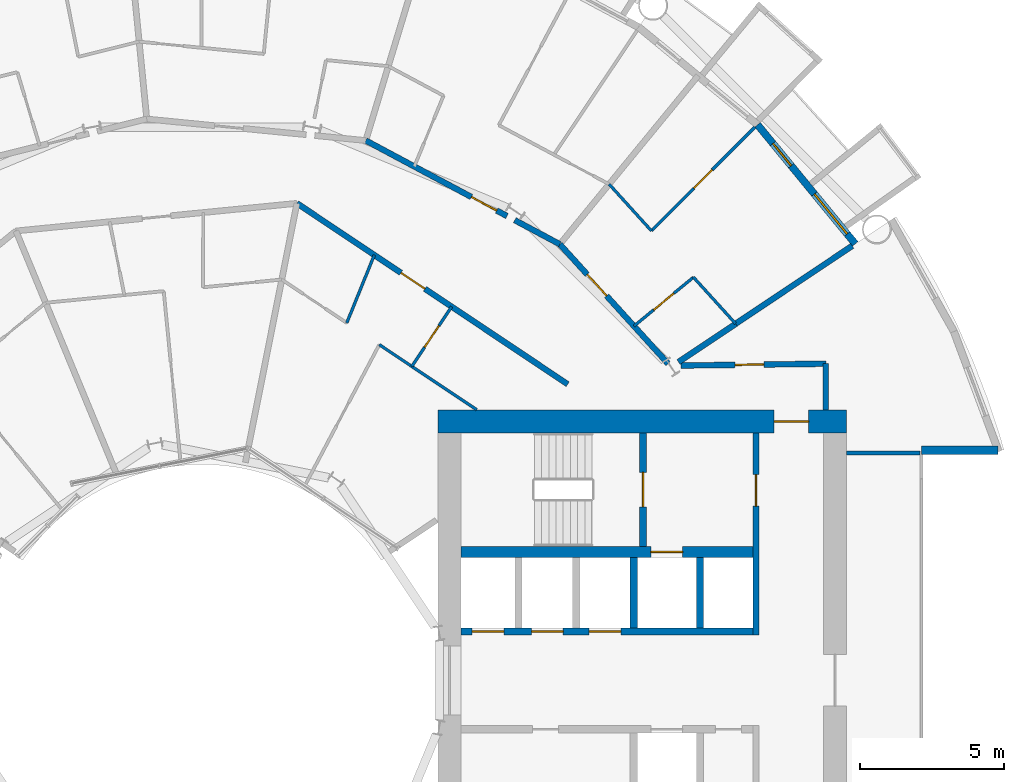
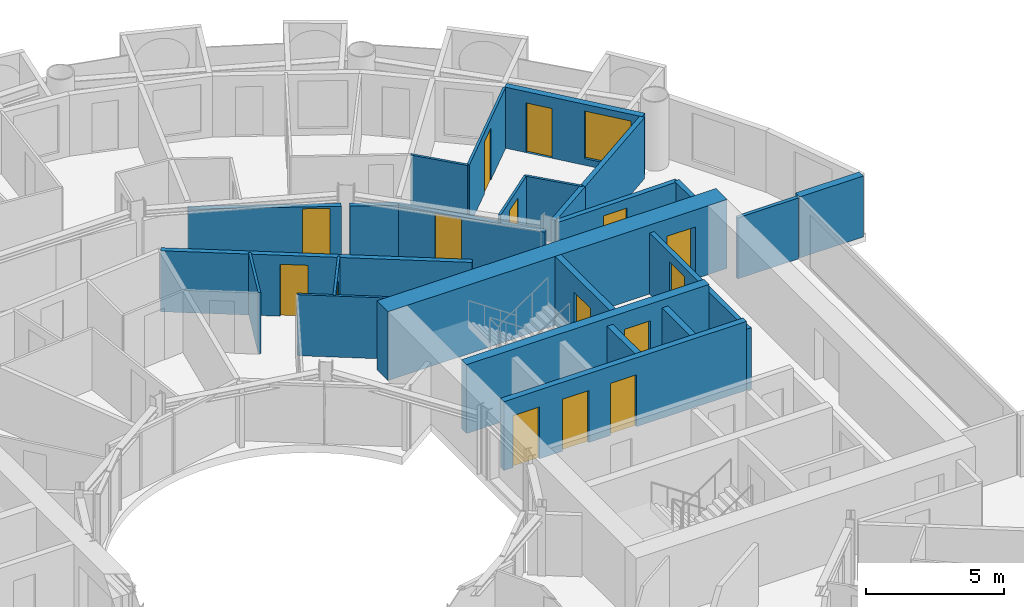
# One storey, part 21 of 26: 25 walls, 15 doors, 1 window, 16 openings.
"""IFC4 building model written with IfcOpenShell, lengths in metres."""

import ifcopenshell
import ifcopenshell.guid

model = None  # the IFC model being written
_history = None  # IfcOwnerHistory: only IFC2X3 demands one
_inside = {}  # id of a spatial element -> (the spatial element, [elements in it])
_under = {}  # id of a project, library or spatial element -> (it, [spatial elements below it])
_declared = {}  # id of a project -> (the project, [libraries it declares])
_typed = {}  # id of a type object -> (the type object, [elements of that type])
_made_of = {}  # id of a material, layer set ... -> (it, [elements and type objects made of it])


def new_model(schema):
    """Start an empty IFC model of exactly this schema.

    Asked for "IFC4X3", IfcOpenShell would pick the latest addendum, in which some entities
    have other attributes; the version numbers below select the first issue.
    IFC2X3 requires an IfcOwnerHistory on every rooted entity: one is made here for all.
    """
    global model, _history
    if schema == "IFC4X3":
        model = ifcopenshell.file(schema_version=(4, 3, 0, 0))
    else:
        model = ifcopenshell.file(schema=schema)
    _inside.clear()
    _under.clear()
    _declared.clear()
    _typed.clear()
    _made_of.clear()
    _history = None
    if model.schema == "IFC2X3":
        org = make("IfcOrganization", Name="unknown")
        user = make(
            "IfcPersonAndOrganization",
            ThePerson=make("IfcPerson", FamilyName="unknown"),
            TheOrganization=org,
        )
        app = make(
            "IfcApplication",
            ApplicationDeveloper=org,
            Version="unknown",
            ApplicationFullName="unknown",
            ApplicationIdentifier="unknown",
        )
        _history = make(
            "IfcOwnerHistory",
            OwningUser=user,
            OwningApplication=app,
            ChangeAction="ADDED",
            CreationDate=0,
        )
    return model


def make(cls, **values):
    """One entity of the class cls with the attributes given. An attribute that is None is left unset."""
    return model.create_entity(
        cls, **{name: value for name, value in values.items() if value is not None}
    )


def rooted(cls, **values):
    """An entity with a GlobalId (a new one), such as an element, a storey or a relation."""
    return make(cls, GlobalId=ifcopenshell.guid.new(), OwnerHistory=_history, **values)


def si_unit(unit_type, name, prefix=None):
    """IfcSIUnit, for example si_unit("LENGTHUNIT", "METRE", prefix="MILLI")."""
    return make("IfcSIUnit", UnitType=unit_type, Prefix=prefix, Name=name)


def assignment(units):
    """IfcUnitAssignment: the units of a project."""
    return None if units is None else make("IfcUnitAssignment", Units=units)


def point(xyz):
    """IfcCartesianPoint."""
    return None if xyz is None else make("IfcCartesianPoint", Coordinates=xyz)


def direction(xyz):
    """IfcDirection."""
    return None if xyz is None else make("IfcDirection", DirectionRatios=xyz)


def frame(location, z_axis=None, x_axis=None):
    """IfcAxis2Placement3D, a coordinate frame: its origin and axes. An axis left out is left unset."""
    return make(
        "IfcAxis2Placement3D",
        Location=point(location),
        Axis=direction(z_axis),
        RefDirection=direction(x_axis),
    )


def frame_2d(location, x_axis=None):
    """IfcAxis2Placement2D, a coordinate frame in the plane: its origin and x axis."""
    return make(
        "IfcAxis2Placement2D", Location=point(location), RefDirection=direction(x_axis)
    )


def origin():
    """The frame at (0, 0, 0) with its axes left unset."""
    return frame((0.0, 0.0, 0.0))


def place(relative_to, where):
    """IfcLocalPlacement: puts the frame where relative to a parent placement (None: the world)."""
    return make(
        "IfcLocalPlacement", PlacementRelTo=relative_to, RelativePlacement=where
    )


def context(
    kind, dimensions, precision=None, world=None, true_north=None, identifier=None
):
    """IfcGeometricRepresentationContext, for example the 3D "Model" context."""
    return make(
        "IfcGeometricRepresentationContext",
        ContextIdentifier=identifier,
        ContextType=kind,
        CoordinateSpaceDimension=dimensions,
        Precision=precision,
        WorldCoordinateSystem=world,
        TrueNorth=true_north,
    )


def subcontext(parent, identifier, kind, view, scale=None):
    """IfcGeometricRepresentationSubContext, for example "Body" below "Model"."""
    return make(
        "IfcGeometricRepresentationSubContext",
        ContextIdentifier=identifier,
        ContextType=kind,
        ParentContext=parent,
        TargetScale=scale,
        TargetView=view,
    )


def project(units=None, contexts=None):
    """IfcProject with its units and contexts."""
    return rooted(
        "IfcProject",
        Name="project",
        RepresentationContexts=contexts,
        UnitsInContext=assignment(units),
    )


def spatial(cls, under=None, at=None, **own):
    """A site, building, storey or space (cls), placed at a placement, below another one or the project."""
    s = rooted(cls, ObjectPlacement=at, **own)
    if under is not None:
        _under.setdefault(under.id(), (under, []))[1].append(s)
    return s


def profile(cls, at=None, kind="AREA", **sizes):
    """A parametric profile (cls). Its sizes go by their IFC names, for example OverallWidth=200.0."""
    return make(cls, ProfileType=kind, Position=at, **sizes)


def rectangle(**sizes):
    """IfcRectangleProfileDef."""
    return profile("IfcRectangleProfileDef", **sizes)


def extrude(swept, where, along, depth):
    """IfcExtrudedAreaSolid: the profile swept, set in the frame where, extruded along a direction by depth."""
    return make(
        "IfcExtrudedAreaSolid",
        SweptArea=swept,
        Position=where,
        ExtrudedDirection=direction(along),
        Depth=depth,
    )


def shape(context_of_items, identifier, shape_type, items):
    """IfcShapeRepresentation: the items that make up one representation, for example the "Body"."""
    return make(
        "IfcShapeRepresentation",
        ContextOfItems=context_of_items,
        RepresentationIdentifier=identifier,
        RepresentationType=shape_type,
        Items=items,
    )


def material(Name=None, Category=None):
    """IfcMaterial."""
    return make("IfcMaterial", Name=Name, Category=Category)


def layer(
    of_material, thickness, ventilated=None, Name=None, Category=None, Priority=None
):
    """IfcMaterialLayer: one layer of a wall or slab, of a material (None: an air gap)."""
    return make(
        "IfcMaterialLayer",
        Material=of_material,
        LayerThickness=thickness,
        IsVentilated=ventilated,
        Name=Name,
        Category=Category,
        Priority=Priority,
    )


def layer_set(layers, Name=None):
    """IfcMaterialLayerSet."""
    return make("IfcMaterialLayerSet", MaterialLayers=layers, LayerSetName=Name)


def made_of(thing, what):
    """Note that an element or type object is made of a material, layer set ...; save() writes the relation."""
    if what is not None:
        _made_of.setdefault(what.id(), (what, []))[1].append(thing)
    return thing


def type_object(cls, material=None, **own):
    """A type object (cls), such as IfcWallType, which elements share."""
    return made_of(rooted(cls, **own), material)


def element(
    cls,
    number,
    at=None,
    inside=None,
    cuts=None,
    type_object=None,
    material=None,
    context=None,
    identifier="Body",
    shape_type=None,
    held_by="IfcProductDefinitionShape",
    body=None,
    shapes=None,
    **own,
):
    """One element of the class cls, such as IfcWall. Its Tag is "e" and its number.

    at: its placement. inside: the storey or other place that contains it. cuts: it is an
    opening in that element (IfcRelVoidsElement). A single representation is given by context,
    identifier, shape_type and body (its items); several are given by shapes. held_by: the class
    of the entity that holds the representations. save() writes the other relations.
    """
    e = rooted(cls, Tag="e%d" % number, ObjectPlacement=at, **own)
    if body is not None:
        shapes = [shape(context, identifier, shape_type, body)]
    if shapes is not None:
        e.Representation = make(held_by, Representations=shapes)
    if inside is not None:
        _inside.setdefault(inside.id(), (inside, []))[1].append(e)
    if cuts is not None:
        rooted(
            "IfcRelVoidsElement", RelatingBuildingElement=cuts, RelatedOpeningElement=e
        )
    if type_object is not None:
        _typed.setdefault(type_object.id(), (type_object, []))[1].append(e)
    return made_of(e, material)


def fill(opening, filler):
    """IfcRelFillsElement: the door or window that sits in an opening."""
    return rooted(
        "IfcRelFillsElement",
        RelatingOpeningElement=opening,
        RelatedBuildingElement=filler,
    )


def aggregate(whole, parts):
    """IfcRelAggregates: a whole, such as a stair, and the parts it consists of."""
    return rooted("IfcRelAggregates", RelatingObject=whole, RelatedObjects=parts)


def save(model, path):
    """Write the relations noted so far, then the file.

    IfcRelAggregates (storeys below a building ...), IfcRelContainedInSpatialStructure (elements
    in a storey), IfcRelDefinesByType, IfcRelAssociatesMaterial and IfcRelDeclares: one each for
    every whole, place, type object, material and project.
    """
    for whole, parts in _under.values():
        aggregate(whole, parts)
    for where, things in _inside.values():
        rooted(
            "IfcRelContainedInSpatialStructure",
            RelatedElements=things,
            RelatingStructure=where,
        )
    for kind, things in _typed.values():
        rooted("IfcRelDefinesByType", RelatedObjects=things, RelatingType=kind)
    for what, things in _made_of.values():
        rooted("IfcRelAssociatesMaterial", RelatedObjects=things, RelatingMaterial=what)
    for by, libraries in _declared.values():
        rooted("IfcRelDeclares", RelatingContext=by, RelatedDefinitions=libraries)
    model.write(path)


model = new_model("IFC4")

# Units and contexts
model_context = context("Model", 3, precision=1e-05, world=origin(), true_north=direction((0.0, 1.0)))
body_context = subcontext(model_context, "Body", "Model", "MODEL_VIEW")
ifc_project = project(units=[si_unit("LENGTHUNIT", "METRE"), si_unit("AREAUNIT", "SQUARE_METRE"), si_unit("VOLUMEUNIT", "CUBIC_METRE"), si_unit("PLANEANGLEUNIT", "RADIAN"), si_unit("MASSUNIT", "GRAM", prefix="KILO")], contexts=[model_context])

# Site, building, storey
site_placement = place(None, origin())
site = spatial("IfcSite", under=ifc_project, at=site_placement, CompositionType="ELEMENT")
building_placement = place(site_placement, origin())
building = spatial("IfcBuilding", under=site, at=building_placement, Name="Maasbend Ring Residences", CompositionType="ELEMENT")
storey_placement = place(building_placement, frame((0.0, 0.0, 22.800048828125)))
storey = spatial("IfcBuildingStorey", under=building, at=storey_placement, Name="L05", CompositionType="ELEMENT", Elevation=22.800048828125)

# Wall, openings, doors
ifc_material_1 = material(Name="Concrete C70/85", Category="concrete")
ifc_layer_1 = layer(ifc_material_1, 0.25)
ifc_layer_set_1 = layer_set([ifc_layer_1], Name="Concrete C70/85")
wall_type_1 = type_object("IfcWallType", Name="CORE WALL 250 C70/85", PredefinedType="SHEAR", material=ifc_layer_set_1)
wall_1_placement = place(storey_placement, frame((9.0, 1.699951171875, 0.0), z_axis=(0.0, 0.0, 1.0), x_axis=(1.0, 0.0, 0.0)))
wall_1 = element("IfcWall", 1, at=wall_1_placement, inside=storey, type_object=wall_type_1, Name="L05 core E wall SPN", PredefinedType="SHEAR", context=body_context, shape_type="SweptSolid", body=[
    extrude(rectangle(XDim=10.14990234375, YDim=0.25, at=frame_2d((5.074951171875, 0.0))), origin(), (0.0, 0.0, 1.0), 3.050048828125),
])
opening_1_placement = place(wall_1_placement, frame((0.387451171875, 0.0, 0.0)))
opening_1 = element("IfcOpeningElement", 2, at=opening_1_placement, cuts=wall_1, Name="Opening LD-E0501", PredefinedType="OPENING", context=body_context, shape_type="SweptSolid", body=[
    extrude(rectangle(XDim=1.10009765625, YDim=2.300048828125, at=frame_2d((0.550048828125, 1.14990234375))), frame((0.0, 0.135009765625, 0.0), z_axis=(0.0, -1.0, 0.0), x_axis=(1.0, 0.0, 0.0)), (0.0, 0.0, 1.0), 0.27001953125),
])
opening_2_placement = place(wall_1_placement, frame((2.449951171875, 0.0, 0.0)))
opening_2 = element("IfcOpeningElement", 3, at=opening_2_placement, cuts=wall_1, Name="Opening LD-E0502", PredefinedType="OPENING", context=body_context, shape_type="SweptSolid", body=[
    extrude(rectangle(XDim=1.10009765625, YDim=2.300048828125, at=frame_2d((0.550048828125, 1.14990234375))), frame((0.0, 0.135009765625, 0.0), z_axis=(0.0, -1.0, 0.0), x_axis=(1.0, 0.0, 0.0)), (0.0, 0.0, 1.0), 0.27001953125),
])
opening_3_placement = place(wall_1_placement, frame((4.449951171875, 0.0, 0.0)))
opening_3 = element("IfcOpeningElement", 4, at=opening_3_placement, cuts=wall_1, Name="Opening LD-E0503", PredefinedType="OPENING", context=body_context, shape_type="SweptSolid", body=[
    extrude(rectangle(XDim=1.10009765625, YDim=2.300048828125, at=frame_2d((0.550048828125, 1.14990234375))), frame((0.0, 0.135009765625, 0.0), z_axis=(0.0, -1.0, 0.0), x_axis=(1.0, 0.0, 0.0)), (0.0, 0.0, 1.0), 0.27001953125),
])
ifc_material_2 = material(Name="Stainless steel 316", Category="steel")
door_type_1 = type_object("IfcDoorType", Name="LANDING DOOR 1100 X 2300 FD60", OperationType="DOUBLE_DOOR_SLIDING", PredefinedType="DOOR", material=ifc_material_2)
door_1_placement = place(opening_1_placement, origin())
door_1 = element("IfcDoor", 5, at=door_1_placement, inside=storey, type_object=door_type_1, Name="Landing door LR-E1 L05", OperationType="DOUBLE_DOOR_SLIDING", OverallHeight=2.300048828125, OverallWidth=1.10009765625, PredefinedType="DOOR", context=body_context, shape_type="SweptSolid", body=[
    extrude(rectangle(XDim=1.10009765625, YDim=2.300048828125, at=frame_2d((0.550048828125, 1.14990234375))), frame((0.0, 0.02490234375, 0.0), z_axis=(0.0, -1.0, 0.0), x_axis=(1.0, 0.0, 0.0)), (0.0, 0.0, 1.0), 0.050048828125),
])
fill(opening_1, door_1)
door_2_placement = place(opening_2_placement, origin())
door_2 = element("IfcDoor", 6, at=door_2_placement, inside=storey, type_object=door_type_1, Name="Landing door LR-E2 L05", OperationType="DOUBLE_DOOR_SLIDING", OverallHeight=2.300048828125, OverallWidth=1.10009765625, PredefinedType="DOOR", context=body_context, shape_type="SweptSolid", body=[
    extrude(rectangle(XDim=1.10009765625, YDim=2.300048828125, at=frame_2d((0.550048828125, 1.14990234375))), frame((0.0, 0.02490234375, 0.0), z_axis=(0.0, -1.0, 0.0), x_axis=(1.0, 0.0, 0.0)), (0.0, 0.0, 1.0), 0.050048828125),
])
fill(opening_2, door_2)
door_3_placement = place(opening_3_placement, origin())
door_3 = element("IfcDoor", 7, at=door_3_placement, inside=storey, type_object=door_type_1, Name="Landing door LR-E3 L05", OperationType="DOUBLE_DOOR_SLIDING", OverallHeight=2.300048828125, OverallWidth=1.10009765625, PredefinedType="DOOR", context=body_context, shape_type="SweptSolid", body=[
    extrude(rectangle(XDim=1.10009765625, YDim=2.300048828125, at=frame_2d((0.550048828125, 1.14990234375))), frame((0.0, 0.02490234375, 0.0), z_axis=(0.0, -1.0, 0.0), x_axis=(1.0, 0.0, 0.0)), (0.0, 0.0, 1.0), 0.050048828125),
])
fill(opening_3, door_3)

# Wall, opening, door
wall_2_placement = place(storey_placement, frame((15.324951171875, 4.64990234375, 0.0), z_axis=(0.0, 0.0, 1.0), x_axis=(0.0, 1.0, 0.0)))
wall_2 = element("IfcWall", 8, at=wall_2_placement, inside=storey, type_object=wall_type_1, Name="L05 core E wall STEN", PredefinedType="SHEAR", context=body_context, shape_type="SweptSolid", body=[
    extrude(rectangle(XDim=3.9501953125, YDim=0.25, at=frame_2d((1.97509765625, 0.0))), origin(), (0.0, 0.0, 1.0), 3.050048828125),
])
opening_4_placement = place(wall_2_placement, frame((1.375, 0.0, 0.0)))
opening_4 = element("IfcOpeningElement", 9, at=opening_4_placement, cuts=wall_2, Name="Opening D-E0509", PredefinedType="OPENING", context=body_context, shape_type="SweptSolid", body=[
    extrude(rectangle(XDim=1.199951171875, YDim=2.300048828125, at=frame_2d((0.60009765625, 1.14990234375))), frame((0.0, 0.135009765625, 0.0), z_axis=(0.0, -1.0, 0.0), x_axis=(1.0, 0.0, 0.0)), (0.0, 0.0, 1.0), 0.27001953125),
])
ifc_material_3 = material(Name="Steel, powder coated", Category="steel")
door_type_2 = type_object("IfcDoorType", Name="STAIR DOOR 1200 X 2300 FD60", OperationType="NOTDEFINED", PredefinedType="DOOR", material=ifc_material_3)
door_4_placement = place(opening_4_placement, origin())
door_4 = element("IfcDoor", 10, at=door_4_placement, inside=storey, type_object=door_type_2, Name="Stair door ST-E L05", OperationType="SINGLE_SWING_LEFT", OverallHeight=2.300048828125, OverallWidth=1.199951171875, PredefinedType="DOOR", context=body_context, shape_type="SweptSolid", body=[
    extrude(rectangle(XDim=1.199951171875, YDim=2.300048828125, at=frame_2d((0.60009765625, 1.14990234375))), frame((0.0, 0.02490234375, 0.0), z_axis=(0.0, -1.0, 0.0), x_axis=(1.0, 0.0, 0.0)), (0.0, 0.0, 1.0), 0.050048828125),
])
fill(opening_4, door_4)

ifc_material_4 = material(Name="Concrete C70/85", Category="concrete")
ifc_layer_2 = layer(ifc_material_4, 0.375)
ifc_layer_set_2 = layer_set([ifc_layer_2], Name="Concrete C70/85")
wall_type_2 = type_object("IfcWallType", Name="CORE WALL 375 C70/85", PredefinedType="SHEAR", material=ifc_layer_set_2)
wall_3_placement = place(storey_placement, frame((9.0, 4.46240234375, 0.0), z_axis=(0.0, 0.0, 1.0), x_axis=(1.0, 0.0, 0.0)))
wall_3 = element("IfcWall", 11, at=wall_3_placement, inside=storey, type_object=wall_type_2, Name="L05 core E wall BN", PredefinedType="SHEAR", context=body_context, shape_type="SweptSolid", body=[
    extrude(rectangle(XDim=10.14990234375, YDim=0.375, at=frame_2d((5.074951171875, 0.0))), origin(), (0.0, 0.0, 1.0), 3.050048828125),
])
opening_5_placement = place(wall_3_placement, frame((6.60009765625, 0.0, 0.0)))
opening_5 = element("IfcOpeningElement", 12, at=opening_5_placement, cuts=wall_3, Name="Opening LD-E0504", PredefinedType="OPENING", context=body_context, shape_type="SweptSolid", body=[
    extrude(rectangle(XDim=1.10009765625, YDim=2.300048828125, at=frame_2d((0.550048828125, 1.14990234375))), frame((0.0, 0.197509765625, 0.0), z_axis=(0.0, -1.0, 0.0), x_axis=(1.0, 0.0, 0.0)), (0.0, 0.0, 1.0), 0.39501953125),
])
door_5_placement = place(opening_5_placement, origin())
door_5 = element("IfcDoor", 13, at=door_5_placement, inside=storey, type_object=door_type_1, Name="Landing door FF-E L05", OperationType="DOUBLE_DOOR_SLIDING", OverallHeight=2.300048828125, OverallWidth=1.10009765625, PredefinedType="DOOR", context=body_context, shape_type="SweptSolid", body=[
    extrude(rectangle(XDim=1.10009765625, YDim=2.300048828125, at=frame_2d((0.550048828125, 1.14990234375))), frame((0.0, 0.02490234375, 0.0), z_axis=(0.0, -1.0, 0.0), x_axis=(1.0, 0.0, 0.0)), (0.0, 0.0, 1.0), 0.050048828125),
])
fill(opening_5, door_5)

ifc_material_5 = material(Name="Concrete C70/85", Category="concrete")
ifc_layer_3 = layer(ifc_material_5, 0.800048828125)
ifc_layer_set_3 = layer_set([ifc_layer_3], Name="Concrete C70/85")
wall_type_3 = type_object("IfcWallType", Name="CORE WALL 800 C70/85", PredefinedType="SHEAR", material=ifc_layer_set_3)
wall_4_placement = place(storey_placement, frame((22.39990234375, 9.0, 0.0), z_axis=(0.0, 0.0, 1.0), x_axis=(-1.0, 0.0, 0.0)))
wall_4 = element("IfcWall", 14, at=wall_4_placement, inside=storey, type_object=wall_type_3, Name="L05 core E wall PN", PredefinedType="SHEAR", context=body_context, shape_type="SweptSolid", body=[
    extrude(rectangle(XDim=14.199951171875, YDim=0.800048828125, at=frame_2d((7.10009765625, 0.0))), origin(), (0.0, 0.0, 1.0), 3.050048828125),
])
opening_6_placement = place(wall_4_placement, frame((1.324951171875, 0.0, 0.0)))
opening_6 = element("IfcOpeningElement", 15, at=opening_6_placement, cuts=wall_4, Name="Opening D-E0513", PredefinedType="OPENING", context=body_context, shape_type="SweptSolid", body=[
    extrude(rectangle(XDim=1.199951171875, YDim=2.300048828125, at=frame_2d((0.60009765625, 1.14990234375))), frame((0.0, 0.41015625, 0.0), z_axis=(0.0, -1.0, 0.0), x_axis=(1.0, 0.0, 0.0)), (0.0, 0.0, 1.0), 0.820068359375),
])
ifc_material_6 = material(Name="Steel, powder coated", Category="steel")
door_type_3 = type_object("IfcDoorType", Name="CORRIDOR DOOR 1200 X 2300 FD30S", OperationType="NOTDEFINED", PredefinedType="DOOR", material=ifc_material_6)
door_6_placement = place(opening_6_placement, origin())
door_6 = element("IfcDoor", 16, at=door_6_placement, inside=storey, type_object=door_type_3, Name="Corridor door L05", OperationType="SINGLE_SWING_RIGHT", OverallHeight=2.300048828125, OverallWidth=1.199951171875, PredefinedType="DOOR", context=body_context, shape_type="SweptSolid", body=[
    extrude(rectangle(XDim=1.199951171875, YDim=2.300048828125, at=frame_2d((0.60009765625, 1.14990234375))), frame((0.0, 0.02490234375, 0.0), z_axis=(0.0, -1.0, 0.0), x_axis=(1.0, 0.0, 0.0)), (0.0, 0.0, 1.0), 0.050048828125),
])
fill(opening_6, door_6)

# Wall
ifc_material_7 = material(Name="Concrete C30/37", Category="concrete")
ifc_layer_4 = layer(ifc_material_7, 0.199951171875)
ifc_layer_set_4 = layer_set([ifc_layer_4], Name="Concrete C30/37")
wall_type_4 = type_object("IfcWallType", Name="CORRIDOR WALL 200 CONCRETE", PredefinedType="PARTITIONING", material=ifc_layer_set_4)
wall_5_placement = place(storey_placement, frame((21.675048828125, 9.39990234375, 0.0), z_axis=(0.0, 0.0, 1.0), x_axis=(0.0, 1.0, 0.0)))
element("IfcWall", 17, at=wall_5_placement, inside=storey, type_object=wall_type_4, Name="U-L05-w008", PredefinedType="PARTITIONING", context=body_context, shape_type="SweptSolid", body=[
    extrude(rectangle(XDim=1.60009765625, YDim=0.199951171875, at=frame_2d((0.800048828125, 0.0))), origin(), (0.0, 0.0, 1.0), 2.699951171875),
])

# Wall, opening, door
wall_6_placement = place(storey_placement, frame((16.636962890625, 10.93798828125, 0.0), z_axis=(0.0, 0.0, 1.0), x_axis=(0.99992425795, 0.012307654658, 0.0)))
wall_6 = element("IfcWall", 18, at=wall_6_placement, inside=storey, type_object=wall_type_4, Name="U-L05-w099", PredefinedType="PARTITIONING", context=body_context, shape_type="SweptSolid", body=[
    extrude(rectangle(XDim=5.03857421875, YDim=0.199951171875, at=frame_2d((2.519287109375, 0.0))), origin(), (0.0, 0.0, 1.0), 2.699951171875),
])
opening_7_placement = place(wall_6_placement, frame((1.884033203125, 0.0, 0.0)))
opening_7 = element("IfcOpeningElement", 19, at=opening_7_placement, cuts=wall_6, Name="Opening D-0568", PredefinedType="OPENING", context=body_context, shape_type="SweptSolid", body=[
    extrude(rectangle(XDim=1.0, YDim=2.300048828125, at=frame_2d((0.5, 1.14990234375))), frame((0.0, 0.10986328125, 0.0), z_axis=(0.0, -1.0, 0.0), x_axis=(1.0, 0.0, 0.0)), (0.0, 0.0, 1.0), 0.219970703125),
])
ifc_material_8 = material(Name="Timber, painted", Category="wood")
door_type_4 = type_object("IfcDoorType", Name="ROOM DOOR 1000 X 2300", OperationType="NOTDEFINED", PredefinedType="DOOR", material=ifc_material_8)
door_7_placement = place(opening_7_placement, origin())
door_7 = element("IfcDoor", 20, at=door_7_placement, inside=storey, type_object=door_type_4, Name="D-0568", OperationType="SINGLE_SWING_LEFT", OverallHeight=2.300048828125, OverallWidth=1.0, PredefinedType="DOOR", context=body_context, shape_type="SweptSolid", body=[
    extrude(rectangle(XDim=1.0, YDim=2.300048828125, at=frame_2d((0.5, 1.14990234375))), frame((0.0, 0.02490234375, 0.0), z_axis=(0.0, -1.0, 0.0), x_axis=(1.0, 0.0, 0.0)), (0.0, 0.0, 1.0), 0.050048828125),
])
fill(opening_7, door_7)

wall_7_placement = place(storey_placement, frame((3.299072265625, 16.573974609375, 0.0), z_axis=(0.0, 0.0, 1.0), x_axis=(0.831482209042, -0.555551380205, 0.0)))
wall_7 = element("IfcWall", 21, at=wall_7_placement, inside=storey, type_object=wall_type_4, Name="U-L05-w106", PredefinedType="PARTITIONING", context=body_context, shape_type="SweptSolid", body=[
    extrude(rectangle(XDim=11.314697265625, YDim=0.199951171875, at=frame_2d((5.6572265625, 0.0))), origin(), (0.0, 0.0, 1.0), 2.699951171875),
])
opening_8_placement = place(wall_7_placement, frame((4.345947265625, 0.0, 0.0)))
opening_8 = element("IfcOpeningElement", 22, at=opening_8_placement, cuts=wall_7, Name="Opening D-0521", PredefinedType="OPENING", context=body_context, shape_type="SweptSolid", body=[
    extrude(rectangle(XDim=1.0, YDim=2.300048828125, at=frame_2d((0.5, 1.14990234375))), frame((0.0, 0.10986328125, 0.0), z_axis=(0.0, -1.0, 0.0), x_axis=(1.0, 0.0, 0.0)), (0.0, 0.0, 1.0), 0.219970703125),
])
ifc_material_9 = material(Name="Timber, fire-rated, painted", Category="wood")
door_type_5 = type_object("IfcDoorType", Name="FLAT ENTRANCE DOOR 1000 X 2300 FIRE-RATED", OperationType="NOTDEFINED", PredefinedType="DOOR", material=ifc_material_9)
door_8_placement = place(opening_8_placement, origin())
door_8 = element("IfcDoor", 23, at=door_8_placement, inside=storey, type_object=door_type_5, Name="D-0521", OperationType="SINGLE_SWING_LEFT", OverallHeight=2.300048828125, OverallWidth=1.0, PredefinedType="DOOR", context=body_context, shape_type="SweptSolid", body=[
    extrude(rectangle(XDim=1.0, YDim=2.300048828125, at=frame_2d((0.5, 1.14990234375))), frame((0.0, 0.02490234375, 0.0), z_axis=(0.0, -1.0, 0.0), x_axis=(1.0, 0.0, 0.0)), (0.0, 0.0, 1.0), 0.050048828125),
])
fill(opening_8, door_8)

wall_8_placement = place(storey_placement, frame((5.68994140625, 18.756103515625, 0.0), z_axis=(0.0, 0.0, 1.0), x_axis=(0.881866548297, -0.471499089072, 0.0)))
wall_8 = element("IfcWall", 24, at=wall_8_placement, inside=storey, type_object=wall_type_4, Name="U-L05-w111", PredefinedType="PARTITIONING", context=body_context, shape_type="SweptSolid", body=[
    extrude(rectangle(XDim=5.563232421875, YDim=0.199951171875, at=frame_2d((2.78173828125, 0.0))), origin(), (0.0, 0.0, 1.0), 2.3798828125),
])
opening_9_placement = place(wall_8_placement, frame((4.160888671875, 0.0, 0.0)))
opening_9 = element("IfcOpeningElement", 25, at=opening_9_placement, cuts=wall_8, Name="Opening D-0504", PredefinedType="OPENING", context=body_context, shape_type="SweptSolid", body=[
    extrude(rectangle(XDim=1.0, YDim=2.300048828125, at=frame_2d((0.5, 1.14990234375))), frame((0.0, 0.10986328125, 0.0), z_axis=(0.0, -1.0, 0.0), x_axis=(1.0, 0.0, 0.0)), (0.0, 0.0, 1.0), 0.219970703125),
])
door_9_placement = place(opening_9_placement, origin())
door_9 = element("IfcDoor", 26, at=door_9_placement, inside=storey, type_object=door_type_5, Name="D-0504", OperationType="SINGLE_SWING_RIGHT", OverallHeight=2.300048828125, OverallWidth=1.0, PredefinedType="DOOR", context=body_context, shape_type="SweptSolid", body=[
    extrude(rectangle(XDim=1.0, YDim=2.300048828125, at=frame_2d((0.5, 1.14990234375))), frame((0.0, 0.02490234375, 0.0), z_axis=(0.0, -1.0, 0.0), x_axis=(1.0, 0.0, 0.0)), (0.0, 0.0, 1.0), 0.050048828125),
])
fill(opening_9, door_9)

# Wall
wall_9_placement = place(storey_placement, frame((10.866943359375, 15.989013671875, 0.0), z_axis=(0.0, 0.0, 1.0), x_axis=(0.88180855718, -0.471607536501, 0.0)))
element("IfcWall", 27, at=wall_9_placement, inside=storey, type_object=wall_type_4, Name="U-L05-w112", PredefinedType="PARTITIONING", context=body_context, shape_type="SweptSolid", body=[
    extrude(rectangle(XDim=1.777099609375, YDim=0.199951171875, at=frame_2d((0.888671875, 0.0))), origin(), (0.0, 0.0, 1.0), 2.3798828125),
])

# Wall, opening, door
wall_10_placement = place(storey_placement, frame((12.43408203125, 15.15087890625, 0.0), z_axis=(0.0, 0.0, 1.0), x_axis=(0.671514934772, -0.740991020444, 0.0)))
wall_10 = element("IfcWall", 28, at=wall_10_placement, inside=storey, type_object=wall_type_4, Name="U-L05-w118", PredefinedType="PARTITIONING", context=body_context, shape_type="SweptSolid", body=[
    extrude(rectangle(XDim=5.597900390625, YDim=0.199951171875, at=frame_2d((2.798828125, 0.0))), origin(), (0.0, 0.0, 1.0), 2.3798828125),
])
opening_10_placement = place(wall_10_placement, frame((1.4169921875, 0.0, 0.0)))
opening_10 = element("IfcOpeningElement", 29, at=opening_10_placement, cuts=wall_10, Name="Opening D-0501", PredefinedType="OPENING", context=body_context, shape_type="SweptSolid", body=[
    extrude(rectangle(XDim=1.0, YDim=2.300048828125, at=frame_2d((0.5, 1.14990234375))), frame((0.0, 0.10986328125, 0.0), z_axis=(0.0, -1.0, 0.0), x_axis=(1.0, 0.0, 0.0)), (0.0, 0.0, 1.0), 0.219970703125),
])
door_10_placement = place(opening_10_placement, origin())
door_10 = element("IfcDoor", 30, at=door_10_placement, inside=storey, type_object=door_type_5, Name="D-0501", OperationType="SINGLE_SWING_LEFT", OverallHeight=2.300048828125, OverallWidth=1.0, PredefinedType="DOOR", context=body_context, shape_type="SweptSolid", body=[
    extrude(rectangle(XDim=1.0, YDim=2.300048828125, at=frame_2d((0.5, 1.14990234375))), frame((0.0, 0.02490234375, 0.0), z_axis=(0.0, -1.0, 0.0), x_axis=(1.0, 0.0, 0.0)), (0.0, 0.0, 1.0), 0.050048828125),
])
fill(opening_10, door_10)

# Wall, openings, door, window
ifc_material_10 = material(Name="Aluminium clad insulated panel", Category="aluminium")
ifc_layer_5 = layer(ifc_material_10, 0.25)
ifc_layer_set_5 = layer_set([ifc_layer_5], Name="EW-GL")
wall_type_5 = type_object("IfcWallType", Name="EW-GL", PredefinedType="SOLIDWALL", material=ifc_layer_set_5)
wall_11_placement = place(storey_placement, frame((22.698974609375, 15.1669921875, 0.0), z_axis=(0.0, 0.0, 1.0), x_axis=(-0.634382322723, 0.773019449054, 0.0)))
wall_11 = element("IfcWall", 31, at=wall_11_placement, inside=storey, type_object=wall_type_5, Name="External wall N01", PredefinedType="SOLIDWALL", context=body_context, shape_type="SweptSolid", body=[
    extrude(rectangle(XDim=5.351806640625, YDim=0.25, at=frame_2d((2.67578125, 0.0))), origin(), (0.0, 0.0, 1.0), 2.699951171875),
])
opening_11_placement = place(wall_11_placement, frame((0.441162109375, 0.0, 0.300048828125)))
opening_11 = element("IfcOpeningElement", 32, at=opening_11_placement, cuts=wall_11, Name="Opening W-BX", PredefinedType="OPENING", context=body_context, shape_type="SweptSolid", body=[
    extrude(rectangle(XDim=1.800048828125, YDim=2.10009765625, at=frame_2d((0.89990234375, 1.050048828125))), frame((0.0, 0.135009765625, 0.0), z_axis=(0.0, -1.0, 0.0), x_axis=(1.0, 0.0, 0.0)), (0.0, 0.0, 1.0), 0.27001953125),
])
opening_12_placement = place(wall_11_placement, frame((3.510498046875, 0.0, 0.0)))
opening_12 = element("IfcOpeningElement", 33, at=opening_12_placement, cuts=wall_11, Name="Opening D-LG", PredefinedType="OPENING", context=body_context, shape_type="SweptSolid", body=[
    extrude(rectangle(XDim=1.0, YDim=2.199951171875, at=frame_2d((0.5, 1.10009765625))), frame((0.0, 0.135009765625, 0.0), z_axis=(0.0, -1.0, 0.0), x_axis=(1.0, 0.0, 0.0)), (0.0, 0.0, 1.0), 0.27001953125),
])
ifc_material_11 = material(Name="Aluminium and clear glass", Category="aluminium")
door_type_6 = type_object("IfcDoorType", Name="D-LG", OperationType="SINGLE_SWING_LEFT", PredefinedType="DOOR", material=ifc_material_11)
door_11_placement = place(opening_12_placement, origin())
door_11 = element("IfcDoor", 34, at=door_11_placement, inside=storey, type_object=door_type_6, Name="Loggia door N02", OperationType="SINGLE_SWING_LEFT", OverallHeight=2.199951171875, OverallWidth=1.0, PredefinedType="DOOR", context=body_context, shape_type="SweptSolid", body=[
    extrude(rectangle(XDim=1.0, YDim=2.199951171875, at=frame_2d((0.5, 1.10009765625))), frame((0.0, 0.02490234375, 0.0), z_axis=(0.0, -1.0, 0.0), x_axis=(1.0, 0.0, 0.0)), (0.0, 0.0, 1.0), 0.050048828125),
])
fill(opening_12, door_11)
ifc_material_12 = material(Name="Aluminium and clear glass", Category="aluminium")
window_type = type_object("IfcWindowType", Name="W-BX", PartitioningType="DOUBLE_PANEL_VERTICAL", PredefinedType="WINDOW", material=ifc_material_12)
window_placement = place(opening_11_placement, origin())
window = element("IfcWindow", 35, at=window_placement, inside=storey, type_object=window_type, Name="Window N01 room to box", OverallHeight=2.10009765625, OverallWidth=1.800048828125, PartitioningType="SINGLE_PANEL", PredefinedType="WINDOW", context=body_context, shape_type="SweptSolid", body=[
    extrude(rectangle(XDim=1.800048828125, YDim=2.10009765625, at=frame_2d((0.89990234375, 1.050048828125))), frame((0.0, 0.030029296875, 0.0), z_axis=(0.0, -1.0, 0.0), x_axis=(1.0, 0.0, 0.0)), (0.0, 0.0, 1.0), 0.06005859375),
])
fill(opening_11, window)

# Walls
ifc_material_13 = material(Name="Aluminium clad insulated panel", Category="aluminium")
ifc_layer_6 = layer(ifc_material_13, 0.300048828125)
ifc_layer_set_6 = layer_set([ifc_layer_6], Name="EW-RET")
wall_type_6 = type_object("IfcWallType", Name="EW-RET", PredefinedType="SOLIDWALL", material=ifc_layer_set_6)
wall_12_placement = place(storey_placement, frame((25.0, 8.0, 0.0), z_axis=(0.0, 0.0, 1.0), x_axis=(1.0, 0.0, 0.0)))
element("IfcWall", 36, at=wall_12_placement, inside=storey, type_object=wall_type_6, Name="Notch return wall east north", PredefinedType="SOLIDWALL", context=body_context, shape_type="SweptSolid", body=[
    extrude(rectangle(XDim=2.6669921875, YDim=0.300048828125, at=frame_2d((1.33349609375, 0.0))), origin(), (0.0, 0.0, 1.0), 2.699951171875),
])
ifc_material_14 = material(Name="Gypsum board on steel studs", Category="steel")
ifc_layer_7 = layer(ifc_material_14, 0.10009765625)
ifc_layer_set_7 = layer_set([ifc_layer_7], Name="PARTITION 100 GYPSUM")
wall_type_7 = type_object("IfcWallType", Name="PARTITION 100 GYPSUM", PredefinedType="PARTITIONING", material=ifc_layer_set_7)
wall_13_placement = place(storey_placement, frame((5.029052734375, 12.41796875, 0.0), z_axis=(0.0, 0.0, 1.0), x_axis=(0.375649498413, 0.926761811008, 0.0)))
element("IfcWall", 37, at=wall_13_placement, inside=storey, type_object=wall_type_7, Name="U-L05-w078", PredefinedType="PARTITIONING", context=body_context, shape_type="SweptSolid", body=[
    extrude(rectangle(XDim=2.547607421875, YDim=0.10009765625, at=frame_2d((1.27392578125, 0.0))), origin(), (0.0, 0.0, 1.0), 2.699951171875),
])

# Wall, opening, door
wall_14_placement = place(storey_placement, frame((7.2890625, 10.907958984375, 0.0), z_axis=(0.0, 0.0, 1.0), x_axis=(0.555355163998, 0.831613276602, 0.0)))
wall_14 = element("IfcWall", 38, at=wall_14_placement, inside=storey, type_object=wall_type_7, Name="U-L05-w082", PredefinedType="PARTITIONING", context=body_context, shape_type="SweptSolid", body=[
    extrude(rectangle(XDim=2.493896484375, YDim=0.10009765625, at=frame_2d((1.2470703125, 0.0))), origin(), (0.0, 0.0, 1.0), 2.699951171875),
])
opening_13_placement = place(wall_14_placement, frame((0.797119140625, 0.0, 0.0)))
opening_13 = element("IfcOpeningElement", 39, at=opening_13_placement, cuts=wall_14, Name="Opening D-0523", PredefinedType="OPENING", context=body_context, shape_type="SweptSolid", body=[
    extrude(rectangle(XDim=0.89990234375, YDim=2.300048828125, at=frame_2d((0.449951171875, 1.14990234375))), frame((0.0, 0.06005859375, 0.0), z_axis=(0.0, -1.0, 0.0), x_axis=(1.0, 0.0, 0.0)), (0.0, 0.0, 1.0), 0.1201171875),
])
ifc_material_15 = material(Name="Timber, painted", Category="wood")
door_type_7 = type_object("IfcDoorType", Name="INTERNAL DOOR 900 X 2300", OperationType="NOTDEFINED", PredefinedType="DOOR", material=ifc_material_15)
door_12_placement = place(opening_13_placement, origin())
door_12 = element("IfcDoor", 40, at=door_12_placement, inside=storey, type_object=door_type_7, Name="D-0523", OperationType="SINGLE_SWING_RIGHT", OverallHeight=2.300048828125, OverallWidth=0.89990234375, PredefinedType="DOOR", context=body_context, shape_type="SweptSolid", body=[
    extrude(rectangle(XDim=0.89990234375, YDim=2.300048828125, at=frame_2d((0.449951171875, 1.14990234375))), frame((0.0, 0.02490234375, 0.0), z_axis=(0.0, -1.0, 0.0), x_axis=(1.0, 0.0, 0.0)), (0.0, 0.0, 1.0), 0.050048828125),
])
fill(opening_13, door_12)

wall_15_placement = place(storey_placement, frame((15.009033203125, 12.31005859375, 0.0), z_axis=(0.0, 0.0, 1.0), x_axis=(0.77319617123, 0.634166918717, 0.0)))
wall_15 = element("IfcWall", 41, at=wall_15_placement, inside=storey, type_object=wall_type_7, Name="U-L05-w090", PredefinedType="PARTITIONING", context=body_context, shape_type="SweptSolid", body=[
    extrude(rectangle(XDim=2.674560546875, YDim=0.10009765625, at=frame_2d((1.33740234375, 0.0))), origin(), (0.0, 0.0, 1.0), 2.699951171875),
])
opening_14_placement = place(wall_15_placement, frame((0.886962890625, 0.0, 0.0)))
opening_14 = element("IfcOpeningElement", 42, at=opening_14_placement, cuts=wall_15, Name="Opening D-0502", PredefinedType="OPENING", context=body_context, shape_type="SweptSolid", body=[
    extrude(rectangle(XDim=0.89990234375, YDim=2.300048828125, at=frame_2d((0.449951171875, 1.14990234375))), frame((0.0, 0.06005859375, 0.0), z_axis=(0.0, -1.0, 0.0), x_axis=(1.0, 0.0, 0.0)), (0.0, 0.0, 1.0), 0.1201171875),
])
door_13_placement = place(opening_14_placement, origin())
door_13 = element("IfcDoor", 43, at=door_13_placement, inside=storey, type_object=door_type_7, Name="D-0502", OperationType="SINGLE_SWING_RIGHT", OverallHeight=2.300048828125, OverallWidth=0.89990234375, PredefinedType="DOOR", context=body_context, shape_type="SweptSolid", body=[
    extrude(rectangle(XDim=0.89990234375, YDim=2.300048828125, at=frame_2d((0.449951171875, 1.14990234375))), frame((0.0, 0.02490234375, 0.0), z_axis=(0.0, -1.0, 0.0), x_axis=(1.0, 0.0, 0.0)), (0.0, 0.0, 1.0), 0.050048828125),
])
fill(opening_14, door_13)

wall_16_placement = place(storey_placement, frame((15.612060546875, 15.6220703125, 0.0), z_axis=(0.0, 0.0, 1.0), x_axis=(0.706914880313, 0.707298629994, 0.0)))
wall_16 = element("IfcWall", 44, at=wall_16_placement, inside=storey, type_object=wall_type_7, Name="U-L05-w091", PredefinedType="PARTITIONING", context=body_context, shape_type="SweptSolid", body=[
    extrude(rectangle(XDim=5.089599609375, YDim=0.10009765625, at=frame_2d((2.544921875, 0.0))), origin(), (0.0, 0.0, 1.0), 2.699951171875),
])
opening_15_placement = place(wall_16_placement, frame((2.094970703125, 0.0, 0.0)))
opening_15 = element("IfcOpeningElement", 45, at=opening_15_placement, cuts=wall_16, Name="Opening D-0503", PredefinedType="OPENING", context=body_context, shape_type="SweptSolid", body=[
    extrude(rectangle(XDim=0.89990234375, YDim=2.300048828125, at=frame_2d((0.449951171875, 1.14990234375))), frame((0.0, 0.06005859375, 0.0), z_axis=(0.0, -1.0, 0.0), x_axis=(1.0, 0.0, 0.0)), (0.0, 0.0, 1.0), 0.1201171875),
])
door_14_placement = place(opening_15_placement, origin())
door_14 = element("IfcDoor", 46, at=door_14_placement, inside=storey, type_object=door_type_7, Name="D-0503", OperationType="SINGLE_SWING_LEFT", OverallHeight=2.300048828125, OverallWidth=0.89990234375, PredefinedType="DOOR", context=body_context, shape_type="SweptSolid", body=[
    extrude(rectangle(XDim=0.89990234375, YDim=2.300048828125, at=frame_2d((0.449951171875, 1.14990234375))), frame((0.0, 0.02490234375, 0.0), z_axis=(0.0, -1.0, 0.0), x_axis=(1.0, 0.0, 0.0)), (0.0, 0.0, 1.0), 0.050048828125),
])
fill(opening_15, door_14)

# Walls
wall_17_placement = place(storey_placement, frame((6.158935546875, 11.6630859375, 0.0), z_axis=(0.0, 0.0, 1.0), x_axis=(0.831459707426, -0.555585056429, 0.0)))
element("IfcWall", 47, at=wall_17_placement, inside=storey, type_object=wall_type_7, Name="U-L05-w101", PredefinedType="PARTITIONING", context=body_context, shape_type="SweptSolid", body=[
    extrude(rectangle(XDim=4.073486328125, YDim=0.10009765625, at=frame_2d((2.03662109375, 0.0))), origin(), (0.0, 0.0, 1.0), 2.699951171875),
])
wall_18_placement = place(storey_placement, frame((14.14697265625, 17.238037109375, 0.0), z_axis=(0.0, 0.0, 1.0), x_axis=(0.671674967707, -0.740845960882, 0.0)))
element("IfcWall", 48, at=wall_18_placement, inside=storey, type_object=wall_type_7, Name="U-L05-w131", PredefinedType="PARTITIONING", context=body_context, shape_type="SweptSolid", body=[
    extrude(rectangle(XDim=2.18115234375, YDim=0.10009765625, at=frame_2d((1.090576171875, 0.0))), origin(), (0.0, 0.0, 1.0), 2.699951171875),
])
wall_19_placement = place(storey_placement, frame((17.072021484375, 14.010986328125, 0.0), z_axis=(0.0, 0.0, 1.0), x_axis=(0.67169789574, -0.740825172937, 0.0)))
element("IfcWall", 49, at=wall_19_placement, inside=storey, type_object=wall_type_7, Name="U-L05-w132", PredefinedType="PARTITIONING", context=body_context, shape_type="SweptSolid", body=[
    extrude(rectangle(XDim=2.1826171875, YDim=0.10009765625, at=frame_2d((1.09130859375, 0.0))), origin(), (0.0, 0.0, 1.0), 2.699951171875),
])
ifc_material_16 = material(Name="Gypsum board on steel studs", Category="steel")
ifc_layer_8 = layer(ifc_material_16, 0.14990234375)
ifc_layer_set_8 = layer_set([ifc_layer_8], Name="PARTITION 150 EI 60")
wall_type_8 = type_object("IfcWallType", Name="PARTITION 150 EI 60", PredefinedType="PARTITIONING", material=ifc_layer_set_8)
wall_20_placement = place(storey_placement, frame((22.39990234375, 7.89990234375, 0.0), z_axis=(0.0, 0.0, 1.0), x_axis=(1.0, 0.0, 0.0)))
element("IfcWall", 50, at=wall_20_placement, inside=storey, type_object=wall_type_8, Name="L05 core E wall CITN", PredefinedType="PARTITIONING", context=body_context, shape_type="SweptSolid", body=[
    extrude(rectangle(XDim=2.5400390625, YDim=0.14990234375, at=frame_2d((1.27001953125, 0.0))), origin(), (0.0, 0.0, 1.0), 2.699951171875),
])
ifc_material_17 = material(Name="Concrete C30/37", Category="concrete")
ifc_layer_9 = layer(ifc_material_17, 0.199951171875)
ifc_layer_set_9 = layer_set([ifc_layer_9], Name="Concrete C30/37")
wall_type_9 = type_object("IfcWallType", Name="PARTY WALL 200 CONCRETE", PredefinedType="PARTITIONING", material=ifc_layer_set_9)
wall_21_placement = place(storey_placement, frame((18.5419921875, 12.388916015625, 0.0), z_axis=(0.0, 0.0, 1.0), x_axis=(0.831387096605, 0.55569370664, 0.0)))
element("IfcWall", 51, at=wall_21_placement, inside=storey, type_object=wall_type_9, Name="U-L05-w094", PredefinedType="PARTITIONING", context=body_context, shape_type="SweptSolid", body=[
    extrude(rectangle(XDim=4.875, YDim=0.199951171875, at=frame_2d((2.4375, 0.0))), origin(), (0.0, 0.0, 1.0), 2.699951171875),
])
wall_22_placement = place(storey_placement, frame((16.554931640625, 11.06103515625, 0.0), z_axis=(0.0, 0.0, 1.0), x_axis=(0.832066006555, 0.554676627176, 0.0)))
element("IfcWall", 52, at=wall_22_placement, inside=storey, type_object=wall_type_9, Name="U-L05-w095", PredefinedType="PARTITIONING", context=body_context, shape_type="SweptSolid", body=[
    extrude(rectangle(XDim=2.390380859375, YDim=0.199951171875, at=frame_2d((1.1953125, 0.0))), origin(), (0.0, 0.0, 1.0), 2.699951171875),
])

# Wall, opening, door
ifc_material_18 = material(Name="Concrete C30/37", Category="concrete")
ifc_layer_10 = layer(ifc_material_18, 0.199951171875)
ifc_layer_set_10 = layer_set([ifc_layer_10], Name="Concrete C30/37")
wall_type_10 = type_object("IfcWallType", Name="SHAFT WALL 200 EI 120", PredefinedType="SOLIDWALL", material=ifc_layer_set_10)
wall_23_placement = place(storey_placement, frame((19.25, 1.574951171875, 0.0), z_axis=(0.0, 0.0, 1.0), x_axis=(0.0, 1.0, 0.0)))
wall_23 = element("IfcWall", 53, at=wall_23_placement, inside=storey, type_object=wall_type_10, Name="L05 core E wall ENDN", PredefinedType="SOLIDWALL", context=body_context, shape_type="SweptSolid", body=[
    extrude(rectangle(XDim=7.025146484375, YDim=0.199951171875, at=frame_2d((3.5126953125, 0.0))), origin(), (0.0, 0.0, 1.0), 2.699951171875),
])
opening_16_placement = place(wall_23_placement, frame((4.47509765625, 0.0, 0.0)))
opening_16 = element("IfcOpeningElement", 54, at=opening_16_placement, cuts=wall_23, Name="Opening D-E0511", PredefinedType="OPENING", context=body_context, shape_type="SweptSolid", body=[
    extrude(rectangle(XDim=1.10009765625, YDim=2.300048828125, at=frame_2d((0.550048828125, 1.14990234375))), frame((0.0, 0.10986328125, 0.0), z_axis=(0.0, -1.0, 0.0), x_axis=(1.0, 0.0, 0.0)), (0.0, 0.0, 1.0), 0.219970703125),
])
ifc_material_19 = material(Name="Steel, powder coated", Category="steel")
door_type_8 = type_object("IfcDoorType", Name="LOBBY DOOR 1100 X 2300 FD60", OperationType="NOTDEFINED", PredefinedType="DOOR", material=ifc_material_19)
door_15_placement = place(opening_16_placement, origin())
door_15 = element("IfcDoor", 55, at=door_15_placement, inside=storey, type_object=door_type_8, Name="Lobby door L05", OperationType="SINGLE_SWING_LEFT", OverallHeight=2.300048828125, OverallWidth=1.10009765625, PredefinedType="DOOR", context=body_context, shape_type="SweptSolid", body=[
    extrude(rectangle(XDim=1.10009765625, YDim=2.300048828125, at=frame_2d((0.550048828125, 1.14990234375))), frame((0.0, 0.02490234375, 0.0), z_axis=(0.0, -1.0, 0.0), x_axis=(1.0, 0.0, 0.0)), (0.0, 0.0, 1.0), 0.050048828125),
])
fill(opening_16, door_15)

# Walls
ifc_material_20 = material(Name="Concrete C30/37", Category="concrete")
ifc_layer_11 = layer(ifc_material_20, 0.25)
ifc_layer_set_11 = layer_set([ifc_layer_11], Name="Concrete C30/37")
wall_type_11 = type_object("IfcWallType", Name="SHAFT WALL 250 EI 120", PredefinedType="SOLIDWALL", material=ifc_layer_set_11)
for number, where, z_axis, x_axis, name in (
    (56, (15.0, 1.824951171875, 0.0), (0.0, 0.0, 1.0), (0.0, 1.0, 0.0), "L05 core E wall D150N"),
    (57, (17.300048828125, 1.824951171875, 0.0), (0.0, 0.0, 1.0), (0.0, 1.0, 0.0), "L05 core E wall D173N"),
):
    element("IfcWall", number, at=place(storey_placement, frame(where, z_axis=z_axis, x_axis=x_axis)), inside=storey, type_object=wall_type_11, Name=name, PredefinedType="SOLIDWALL", context=body_context, shape_type="SweptSolid", body=[
        extrude(rectangle(XDim=2.449951171875, YDim=0.25, at=frame_2d((1.22509765625, 0.0))), origin(), (0.0, 0.0, 1.0), 2.699951171875),
    ])

save(model, "model.ifc")
